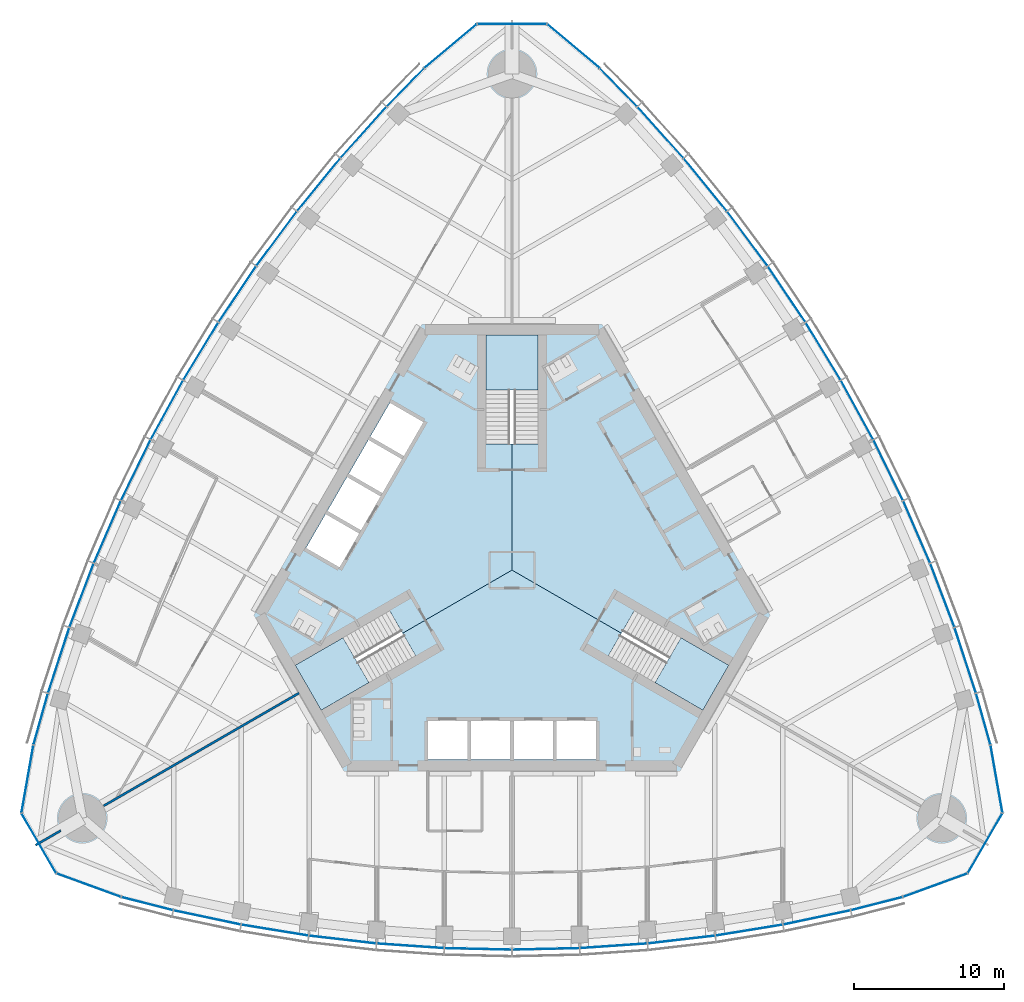
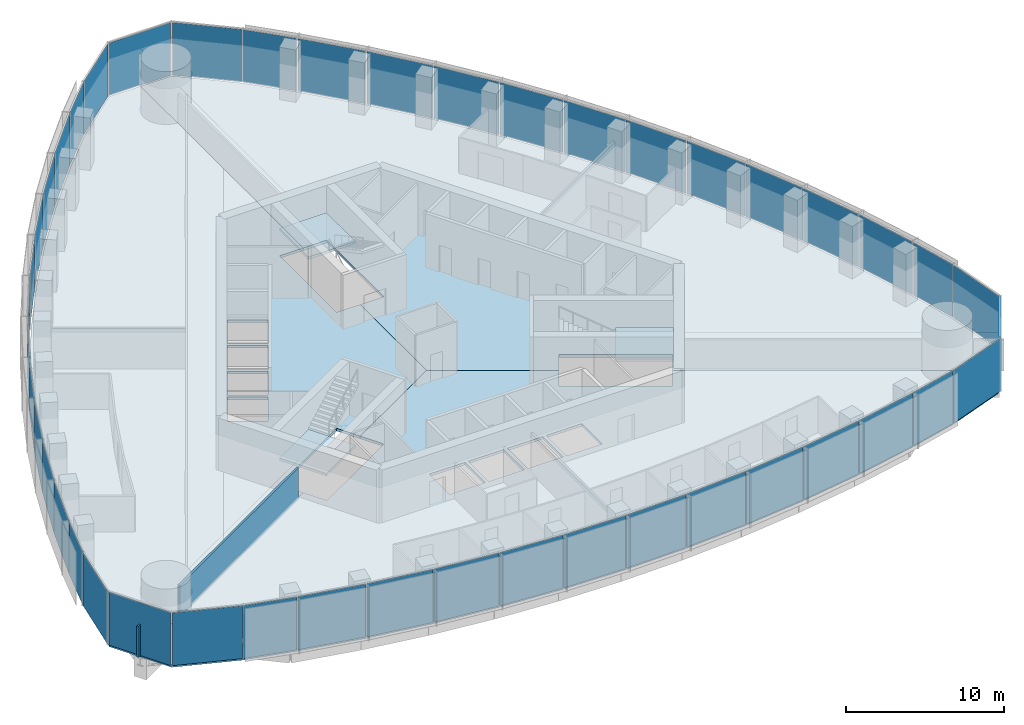
# One storey, part 10 of 19: 45 plates, 6 slabs, 2 walls, 9 elements without a shape of their own.
"""IFC4 building model written with IfcOpenShell, lengths in metres."""

from ifc_helpers import new_model, si_unit, direction, frame, frame_2d, origin, origin_2d, place, context, subcontext, project, spatial, polyline, rectangle, outline, extrude, material, layer, layer_set, type_object, element, aggregate, save


model = new_model("IFC4")

# Units and contexts
model_context = context("Model", 3, precision=1e-05, world=origin(), true_north=direction((0.0, 1.0)))
body_context = subcontext(model_context, "Body", "Model", "MODEL_VIEW")
ifc_project = project(units=[si_unit("LENGTHUNIT", "METRE"), si_unit("AREAUNIT", "SQUARE_METRE"), si_unit("VOLUMEUNIT", "CUBIC_METRE"), si_unit("PLANEANGLEUNIT", "RADIAN"), si_unit("MASSUNIT", "GRAM", prefix="KILO")], contexts=[model_context])

# Site, building, storey
site_placement = place(None, origin())
site = spatial("IfcSite", under=ifc_project, at=site_placement, CompositionType="ELEMENT")
building_placement = place(site_placement, origin())
building = spatial("IfcBuilding", under=site, at=building_placement, Name="Trefoil Bronze Tower", CompositionType="ELEMENT")
storey_placement = place(building_placement, frame((0.0, 0.0, 223.300048828125)))
storey = spatial("IfcBuildingStorey", under=building, at=storey_placement, Name="L51", CompositionType="ELEMENT", Elevation=223.300048828125)

# Curtain wall, plates
ifc_material_1 = material(Name="Tinted solar-control glass", Category="glass")
curtain_wall_type_1 = type_object("IfcCurtainWallType", Name="Bronze office curtain wall", PredefinedType="USERDEFINED", material=ifc_material_1)
curtain_wall_1_placement = place(storey_placement, origin())
curtain_wall_1 = element("IfcCurtainWall", 1, at=curtain_wall_1_placement, inside=storey, type_object=curtain_wall_type_1, Name="CW-A L51 F1", ObjectType="CURTAIN WALL", PredefinedType="USERDEFINED")
ifc_material_2 = material(Name="Tinted solar-control glass", Category="glass")
ifc_layer_1 = layer(ifc_material_2, 0.030029296875)
ifc_layer_set_1 = layer_set([ifc_layer_1], Name="Bronze office curtain wall glass panel")
plate_type_1 = type_object("IfcPlateType", Name="Bronze office curtain wall glass panel", PredefinedType="CURTAIN_PANEL", material=ifc_layer_set_1)
plate_1_placement = place(storey_placement, frame((-24.251220703125, -22.188232421875, 0.0), z_axis=(0.0, 0.0, 1.0), x_axis=(0.968934035393, -0.247319297786, 0.0)))
plate_1 = element("IfcPlate", 2, at=plate_1_placement, type_object=plate_type_1, Name="CW-A L51 F1 panel 1", PredefinedType="CURTAIN_PANEL", context=body_context, shape_type="SweptSolid", body=[
    extrude(rectangle(XDim=3.483642578125, YDim=0.030029296875, at=origin_2d()), origin(), (0.0, 0.0, 1.0), 4.080078125),
])
plate_2_placement = place(storey_placement, frame((-20.270751953125, -23.105224609375, 0.0), z_axis=(0.0, 0.0, 1.0), x_axis=(0.978394335897, -0.20674748725, 0.0)))
plate_2 = element("IfcPlate", 3, at=plate_2_placement, type_object=plate_type_1, Name="CW-A L51 F1 panel 2", PredefinedType="CURTAIN_PANEL", context=body_context, shape_type="SweptSolid", body=[
    extrude(rectangle(XDim=4.519287109375, YDim=0.030029296875, at=origin_2d()), origin(), (0.0, 0.0, 1.0), 4.080078125),
])
plate_3_placement = place(storey_placement, frame((-15.76611328125, -23.9482421875, 0.0), z_axis=(0.0, 0.0, 1.0), x_axis=(0.986986549528, -0.160802832848, 0.0)))
plate_3 = element("IfcPlate", 4, at=plate_3_placement, type_object=plate_type_1, Name="CW-A L51 F1 panel 3", PredefinedType="CURTAIN_PANEL", context=body_context, shape_type="SweptSolid", body=[
    extrude(rectangle(XDim=4.479248046875, YDim=0.030029296875, at=origin_2d()), origin(), (0.0, 0.0, 1.0), 4.080078125),
])
plate_4_placement = place(storey_placement, frame((-11.261474609375, -24.57568359375, 0.0), z_axis=(0.0, 0.0, 1.0), x_axis=(0.993381831741, -0.114858767043, 0.0)))
plate_4 = element("IfcPlate", 5, at=plate_4_placement, type_object=plate_type_1, Name="CW-A L51 F1 panel 4", PredefinedType="CURTAIN_PANEL", context=body_context, shape_type="SweptSolid", body=[
    extrude(rectangle(XDim=4.449951171875, YDim=0.030029296875, at=origin_2d()), origin(), (0.0, 0.0, 1.0), 4.080078125),
])
plate_5_placement = place(storey_placement, frame((-6.7568359375, -24.991455078125, 0.0), z_axis=(0.0, 0.0, 1.0), x_axis=(0.99762252804, -0.068915103905, 0.0)))
plate_5 = element("IfcPlate", 6, at=plate_5_placement, type_object=plate_type_1, Name="CW-A L51 F1 panel 5", PredefinedType="CURTAIN_PANEL", context=body_context, shape_type="SweptSolid", body=[
    extrude(rectangle(XDim=4.4306640625, YDim=0.030029296875, at=origin_2d()), origin(), (0.0, 0.0, 1.0), 4.080078125),
])
plate_6_placement = place(storey_placement, frame((-2.252197265625, -25.198974609375, 0.0), z_axis=(0.0, 0.0, 1.0), x_axis=(0.999736116243, -0.022971675577, 0.0)))
plate_6 = element("IfcPlate", 7, at=plate_6_placement, type_object=plate_type_1, Name="CW-A L51 F1 panel 6", PredefinedType="CURTAIN_PANEL", context=body_context, shape_type="SweptSolid", body=[
    extrude(rectangle(XDim=4.421142578125, YDim=0.030029296875, at=origin_2d()), origin(), (0.0, 0.0, 1.0), 4.080078125),
])
plate_7_placement = place(storey_placement, frame((2.252197265625, -25.198974609375, 0.0), z_axis=(0.0, 0.0, 1.0), x_axis=(0.999736116243, 0.022971675577, 0.0)))
plate_7 = element("IfcPlate", 8, at=plate_7_placement, type_object=plate_type_1, Name="CW-A L51 F1 panel 7", PredefinedType="CURTAIN_PANEL", context=body_context, shape_type="SweptSolid", body=[
    extrude(rectangle(XDim=4.421142578125, YDim=0.030029296875, at=origin_2d()), origin(), (0.0, 0.0, 1.0), 4.080078125),
])
plate_8_placement = place(storey_placement, frame((6.7568359375, -24.991455078125, 0.0), z_axis=(0.0, 0.0, 1.0), x_axis=(0.99762252804, 0.068915103905, 0.0)))
plate_8 = element("IfcPlate", 9, at=plate_8_placement, type_object=plate_type_1, Name="CW-A L51 F1 panel 8", PredefinedType="CURTAIN_PANEL", context=body_context, shape_type="SweptSolid", body=[
    extrude(rectangle(XDim=4.4306640625, YDim=0.030029296875, at=origin_2d()), origin(), (0.0, 0.0, 1.0), 4.080078125),
])
plate_9_placement = place(storey_placement, frame((11.261474609375, -24.57568359375, 0.0), z_axis=(0.0, 0.0, 1.0), x_axis=(0.993381831741, 0.114858767043, 0.0)))
plate_9 = element("IfcPlate", 10, at=plate_9_placement, type_object=plate_type_1, Name="CW-A L51 F1 panel 9", PredefinedType="CURTAIN_PANEL", context=body_context, shape_type="SweptSolid", body=[
    extrude(rectangle(XDim=4.449951171875, YDim=0.030029296875, at=origin_2d()), origin(), (0.0, 0.0, 1.0), 4.080078125),
])
plate_10_placement = place(storey_placement, frame((15.76611328125, -23.9482421875, 0.0), z_axis=(0.0, 0.0, 1.0), x_axis=(0.986986549528, 0.160802832848, 0.0)))
plate_10 = element("IfcPlate", 11, at=plate_10_placement, type_object=plate_type_1, Name="CW-A L51 F1 panel 10", PredefinedType="CURTAIN_PANEL", context=body_context, shape_type="SweptSolid", body=[
    extrude(rectangle(XDim=4.479248046875, YDim=0.030029296875, at=origin_2d()), origin(), (0.0, 0.0, 1.0), 4.080078125),
])
plate_11_placement = place(storey_placement, frame((20.270751953125, -23.105224609375, 0.0), z_axis=(0.0, 0.0, 1.0), x_axis=(0.978394335897, 0.20674748725, 0.0)))
plate_11 = element("IfcPlate", 12, at=plate_11_placement, type_object=plate_type_1, Name="CW-A L51 F1 panel 11", PredefinedType="CURTAIN_PANEL", context=body_context, shape_type="SweptSolid", body=[
    extrude(rectangle(XDim=4.519287109375, YDim=0.030029296875, at=origin_2d()), origin(), (0.0, 0.0, 1.0), 4.080078125),
])
plate_12_placement = place(storey_placement, frame((24.251220703125, -22.188232421875, 0.0), z_axis=(0.0, 0.0, 1.0), x_axis=(0.968934035393, 0.247319297786, 0.0)))
plate_12 = element("IfcPlate", 13, at=plate_12_placement, type_object=plate_type_1, Name="CW-A L51 F1 panel 12", PredefinedType="CURTAIN_PANEL", context=body_context, shape_type="SweptSolid", body=[
    extrude(rectangle(XDim=3.483642578125, YDim=0.030029296875, at=origin_2d()), origin(), (0.0, 0.0, 1.0), 4.080078125),
])
aggregate(curtain_wall_1, [plate_1, plate_2, plate_3, plate_4, plate_5, plate_6, plate_7, plate_8, plate_9, plate_10, plate_11, plate_12])

curtain_wall_2_placement = place(storey_placement, origin())
curtain_wall_2 = element("IfcCurtainWall", 14, at=curtain_wall_2_placement, inside=storey, type_object=curtain_wall_type_1, Name="CW-A L51 F2", ObjectType="CURTAIN WALL", PredefinedType="USERDEFINED")
plate_13_placement = place(storey_placement, frame((31.341064453125, -9.907958984375, 0.0), z_axis=(0.0, 0.0, 1.0), x_axis=(-0.270282222968, 0.962781138134, 0.0)))
plate_13 = element("IfcPlate", 15, at=plate_13_placement, type_object=plate_type_1, Name="CW-A L51 F2 panel 1", PredefinedType="CURTAIN_PANEL", context=body_context, shape_type="SweptSolid", body=[
    extrude(rectangle(XDim=3.483642578125, YDim=0.030029296875, at=origin_2d()), origin(), (0.0, 0.0, 1.0), 4.080078125),
])
plate_14_placement = place(storey_placement, frame((30.14501953125, -6.002197265625, 0.0), z_axis=(0.0, 0.0, 1.0), x_axis=(-0.310148591821, 0.950688093431, 0.0)))
plate_14 = element("IfcPlate", 16, at=plate_14_placement, type_object=plate_type_1, Name="CW-A L51 F2 panel 2", PredefinedType="CURTAIN_PANEL", context=body_context, shape_type="SweptSolid", body=[
    extrude(rectangle(XDim=4.519287109375, YDim=0.030029296875, at=origin_2d()), origin(), (0.0, 0.0, 1.0), 4.080078125),
])
plate_15_placement = place(storey_placement, frame((28.622802734375, -1.6796875, 0.0), z_axis=(0.0, 0.0, 1.0), x_axis=(-0.354233936517, 0.935156841508, 0.0)))
plate_15 = element("IfcPlate", 17, at=plate_15_placement, type_object=plate_type_1, Name="CW-A L51 F2 panel 3", PredefinedType="CURTAIN_PANEL", context=body_context, shape_type="SweptSolid", body=[
    extrude(rectangle(XDim=4.479248046875, YDim=0.030029296875, at=origin_2d()), origin(), (0.0, 0.0, 1.0), 4.080078125),
])
plate_16_placement = place(storey_placement, frame((26.913818359375, 2.53515625, 0.0), z_axis=(0.0, 0.0, 1.0), x_axis=(-0.397220305764, 0.917723285467, 0.0)))
plate_16 = element("IfcPlate", 18, at=plate_16_placement, type_object=plate_type_1, Name="CW-A L51 F2 panel 4", PredefinedType="CURTAIN_PANEL", context=body_context, shape_type="SweptSolid", body=[
    extrude(rectangle(XDim=4.449951171875, YDim=0.030029296875, at=origin_2d()), origin(), (0.0, 0.0, 1.0), 4.080078125),
])
plate_17_placement = place(storey_placement, frame((25.021728515625, 6.64404296875, 0.0), z_axis=(0.0, 0.0, 1.0), x_axis=(-0.439129033334, 0.898424004623, 0.0)))
plate_17 = element("IfcPlate", 19, at=plate_17_placement, type_object=plate_type_1, Name="CW-A L51 F2 panel 5", PredefinedType="CURTAIN_PANEL", context=body_context, shape_type="SweptSolid", body=[
    extrude(rectangle(XDim=4.4306640625, YDim=0.030029296875, at=origin_2d()), origin(), (0.0, 0.0, 1.0), 4.080078125),
])
plate_18_placement = place(storey_placement, frame((22.948974609375, 10.64892578125, 0.0), z_axis=(0.0, 0.0, 1.0), x_axis=(-0.479974003504, 0.877282711536, 0.0)))
plate_18 = element("IfcPlate", 20, at=plate_18_placement, type_object=plate_type_1, Name="CW-A L51 F2 panel 6", PredefinedType="CURTAIN_PANEL", context=body_context, shape_type="SweptSolid", body=[
    extrude(rectangle(XDim=4.421142578125, YDim=0.030029296875, at=origin_2d()), origin(), (0.0, 0.0, 1.0), 4.080078125),
])
plate_19_placement = place(storey_placement, frame((20.69677734375, 14.550048828125, 0.0), z_axis=(0.0, 0.0, 1.0), x_axis=(-0.519762112739, 0.854311035959, 0.0)))
plate_19 = element("IfcPlate", 21, at=plate_19_placement, type_object=plate_type_1, Name="CW-A L51 F2 panel 7", PredefinedType="CURTAIN_PANEL", context=body_context, shape_type="SweptSolid", body=[
    extrude(rectangle(XDim=4.421142578125, YDim=0.030029296875, at=origin_2d()), origin(), (0.0, 0.0, 1.0), 4.080078125),
])
plate_20_placement = place(storey_placement, frame((18.264892578125, 18.347412109375, 0.0), z_axis=(0.0, 0.0, 1.0), x_axis=(-0.558493494706, 0.829508900718, 0.0)))
plate_20 = element("IfcPlate", 22, at=plate_20_placement, type_object=plate_type_1, Name="CW-A L51 F2 panel 8", PredefinedType="CURTAIN_PANEL", context=body_context, shape_type="SweptSolid", body=[
    extrude(rectangle(XDim=4.4306640625, YDim=0.030029296875, at=origin_2d()), origin(), (0.0, 0.0, 1.0), 4.080078125),
])
plate_21_placement = place(storey_placement, frame((15.65234375, 22.04052734375, 0.0), z_axis=(0.0, 0.0, 1.0), x_axis=(-0.596161525977, 0.802864518425, 0.0)))
plate_21 = element("IfcPlate", 23, at=plate_21_placement, type_object=plate_type_1, Name="CW-A L51 F2 panel 9", PredefinedType="CURTAIN_PANEL", context=body_context, shape_type="SweptSolid", body=[
    extrude(rectangle(XDim=4.449951171875, YDim=0.030029296875, at=origin_2d()), origin(), (0.0, 0.0, 1.0), 4.080078125),
])
plate_22_placement = place(storey_placement, frame((12.856689453125, 25.6279296875, 0.0), z_axis=(0.0, 0.0, 1.0), x_axis=(-0.63275261301, 0.774354008661, 0.0)))
plate_22 = element("IfcPlate", 24, at=plate_22_placement, type_object=plate_type_1, Name="CW-A L51 F2 panel 10", PredefinedType="CURTAIN_PANEL", context=body_context, shape_type="SweptSolid", body=[
    extrude(rectangle(XDim=4.479248046875, YDim=0.030029296875, at=origin_2d()), origin(), (0.0, 0.0, 1.0), 4.080078125),
])
plate_23_placement = place(storey_placement, frame((9.87451171875, 29.107666015625, 0.0), z_axis=(0.0, 0.0, 1.0), x_axis=(-0.668245744076, 0.743940606181, 0.0)))
plate_23 = element("IfcPlate", 25, at=plate_23_placement, type_object=plate_type_1, Name="CW-A L51 F2 panel 11", PredefinedType="CURTAIN_PANEL", context=body_context, shape_type="SweptSolid", body=[
    extrude(rectangle(XDim=4.519287109375, YDim=0.030029296875, at=origin_2d()), origin(), (0.0, 0.0, 1.0), 4.080078125),
])
plate_24_placement = place(storey_placement, frame((7.08984375, 32.09619140625, 0.0), z_axis=(0.0, 0.0, 1.0), x_axis=(-0.698651812425, 0.715461840349, 0.0)))
plate_24 = element("IfcPlate", 26, at=plate_24_placement, type_object=plate_type_1, Name="CW-A L51 F2 panel 12", PredefinedType="CURTAIN_PANEL", context=body_context, shape_type="SweptSolid", body=[
    extrude(rectangle(XDim=3.483642578125, YDim=0.030029296875, at=origin_2d()), origin(), (0.0, 0.0, 1.0), 4.080078125),
])
aggregate(curtain_wall_2, [plate_13, plate_14, plate_15, plate_16, plate_17, plate_18, plate_19, plate_20, plate_21, plate_22, plate_23, plate_24])

curtain_wall_3_placement = place(storey_placement, origin())
curtain_wall_3 = element("IfcCurtainWall", 27, at=curtain_wall_3_placement, inside=storey, type_object=curtain_wall_type_1, Name="CW-A L51 F3", ObjectType="CURTAIN WALL", PredefinedType="USERDEFINED")
plate_25_placement = place(storey_placement, frame((-7.08984375, 32.09619140625, 0.0), z_axis=(0.0, 0.0, 1.0), x_axis=(-0.698651812425, -0.715461840349, 0.0)))
plate_25 = element("IfcPlate", 28, at=plate_25_placement, type_object=plate_type_1, Name="CW-A L51 F3 panel 1", PredefinedType="CURTAIN_PANEL", context=body_context, shape_type="SweptSolid", body=[
    extrude(rectangle(XDim=3.483642578125, YDim=0.030029296875, at=origin_2d()), origin(), (0.0, 0.0, 1.0), 4.080078125),
])
plate_26_placement = place(storey_placement, frame((-9.87451171875, 29.107666015625, 0.0), z_axis=(0.0, 0.0, 1.0), x_axis=(-0.668245744076, -0.743940606181, 0.0)))
plate_26 = element("IfcPlate", 29, at=plate_26_placement, type_object=plate_type_1, Name="CW-A L51 F3 panel 2", PredefinedType="CURTAIN_PANEL", context=body_context, shape_type="SweptSolid", body=[
    extrude(rectangle(XDim=4.519287109375, YDim=0.030029296875, at=origin_2d()), origin(), (0.0, 0.0, 1.0), 4.080078125),
])
plate_27_placement = place(storey_placement, frame((-12.856689453125, 25.6279296875, 0.0), z_axis=(0.0, 0.0, 1.0), x_axis=(-0.63275261301, -0.774354008661, 0.0)))
plate_27 = element("IfcPlate", 30, at=plate_27_placement, type_object=plate_type_1, Name="CW-A L51 F3 panel 3", PredefinedType="CURTAIN_PANEL", context=body_context, shape_type="SweptSolid", body=[
    extrude(rectangle(XDim=4.479248046875, YDim=0.030029296875, at=origin_2d()), origin(), (0.0, 0.0, 1.0), 4.080078125),
])
plate_28_placement = place(storey_placement, frame((-15.65234375, 22.04052734375, 0.0), z_axis=(0.0, 0.0, 1.0), x_axis=(-0.596161525977, -0.802864518425, 0.0)))
plate_28 = element("IfcPlate", 31, at=plate_28_placement, type_object=plate_type_1, Name="CW-A L51 F3 panel 4", PredefinedType="CURTAIN_PANEL", context=body_context, shape_type="SweptSolid", body=[
    extrude(rectangle(XDim=4.449951171875, YDim=0.030029296875, at=origin_2d()), origin(), (0.0, 0.0, 1.0), 4.080078125),
])
plate_29_placement = place(storey_placement, frame((-18.264892578125, 18.347412109375, 0.0), z_axis=(0.0, 0.0, 1.0), x_axis=(-0.558493494706, -0.829508900718, 0.0)))
plate_29 = element("IfcPlate", 32, at=plate_29_placement, type_object=plate_type_1, Name="CW-A L51 F3 panel 5", PredefinedType="CURTAIN_PANEL", context=body_context, shape_type="SweptSolid", body=[
    extrude(rectangle(XDim=4.4306640625, YDim=0.030029296875, at=origin_2d()), origin(), (0.0, 0.0, 1.0), 4.080078125),
])
plate_30_placement = place(storey_placement, frame((-20.69677734375, 14.550048828125, 0.0), z_axis=(0.0, 0.0, 1.0), x_axis=(-0.519762112739, -0.854311035959, 0.0)))
plate_30 = element("IfcPlate", 33, at=plate_30_placement, type_object=plate_type_1, Name="CW-A L51 F3 panel 6", PredefinedType="CURTAIN_PANEL", context=body_context, shape_type="SweptSolid", body=[
    extrude(rectangle(XDim=4.421142578125, YDim=0.030029296875, at=origin_2d()), origin(), (0.0, 0.0, 1.0), 4.080078125),
])
plate_31_placement = place(storey_placement, frame((-22.948974609375, 10.64892578125, 0.0), z_axis=(0.0, 0.0, 1.0), x_axis=(-0.479974003504, -0.877282711536, 0.0)))
plate_31 = element("IfcPlate", 34, at=plate_31_placement, type_object=plate_type_1, Name="CW-A L51 F3 panel 7", PredefinedType="CURTAIN_PANEL", context=body_context, shape_type="SweptSolid", body=[
    extrude(rectangle(XDim=4.421142578125, YDim=0.030029296875, at=origin_2d()), origin(), (0.0, 0.0, 1.0), 4.080078125),
])
plate_32_placement = place(storey_placement, frame((-25.021728515625, 6.64404296875, 0.0), z_axis=(0.0, 0.0, 1.0), x_axis=(-0.439129033334, -0.898424004623, 0.0)))
plate_32 = element("IfcPlate", 35, at=plate_32_placement, type_object=plate_type_1, Name="CW-A L51 F3 panel 8", PredefinedType="CURTAIN_PANEL", context=body_context, shape_type="SweptSolid", body=[
    extrude(rectangle(XDim=4.4306640625, YDim=0.030029296875, at=origin_2d()), origin(), (0.0, 0.0, 1.0), 4.080078125),
])
plate_33_placement = place(storey_placement, frame((-26.913818359375, 2.53515625, 0.0), z_axis=(0.0, 0.0, 1.0), x_axis=(-0.397220305764, -0.917723285467, 0.0)))
plate_33 = element("IfcPlate", 36, at=plate_33_placement, type_object=plate_type_1, Name="CW-A L51 F3 panel 9", PredefinedType="CURTAIN_PANEL", context=body_context, shape_type="SweptSolid", body=[
    extrude(rectangle(XDim=4.449951171875, YDim=0.030029296875, at=origin_2d()), origin(), (0.0, 0.0, 1.0), 4.080078125),
])
plate_34_placement = place(storey_placement, frame((-28.622802734375, -1.6796875, 0.0), z_axis=(0.0, 0.0, 1.0), x_axis=(-0.354233936517, -0.935156841508, 0.0)))
plate_34 = element("IfcPlate", 37, at=plate_34_placement, type_object=plate_type_1, Name="CW-A L51 F3 panel 10", PredefinedType="CURTAIN_PANEL", context=body_context, shape_type="SweptSolid", body=[
    extrude(rectangle(XDim=4.479248046875, YDim=0.030029296875, at=origin_2d()), origin(), (0.0, 0.0, 1.0), 4.080078125),
])
plate_35_placement = place(storey_placement, frame((-30.14501953125, -6.002197265625, 0.0), z_axis=(0.0, 0.0, 1.0), x_axis=(-0.310148591821, -0.950688093431, 0.0)))
plate_35 = element("IfcPlate", 38, at=plate_35_placement, type_object=plate_type_1, Name="CW-A L51 F3 panel 11", PredefinedType="CURTAIN_PANEL", context=body_context, shape_type="SweptSolid", body=[
    extrude(rectangle(XDim=4.519287109375, YDim=0.030029296875, at=origin_2d()), origin(), (0.0, 0.0, 1.0), 4.080078125),
])
plate_36_placement = place(storey_placement, frame((-31.341064453125, -9.907958984375, 0.0), z_axis=(0.0, 0.0, 1.0), x_axis=(-0.270282222968, -0.962781138134, 0.0)))
plate_36 = element("IfcPlate", 39, at=plate_36_placement, type_object=plate_type_1, Name="CW-A L51 F3 panel 12", PredefinedType="CURTAIN_PANEL", context=body_context, shape_type="SweptSolid", body=[
    extrude(rectangle(XDim=3.483642578125, YDim=0.030029296875, at=origin_2d()), origin(), (0.0, 0.0, 1.0), 4.080078125),
])
aggregate(curtain_wall_3, [plate_25, plate_26, plate_27, plate_28, plate_29, plate_30, plate_31, plate_32, plate_33, plate_34, plate_35, plate_36])

ifc_material_3 = material(Name="Tinted solar-control glass", Category="glass")
curtain_wall_type_2 = type_object("IfcCurtainWallType", Name="Bronze rounded corner curtain wall", PredefinedType="USERDEFINED", material=ifc_material_3)
curtain_wall_4_placement = place(storey_placement, origin())
curtain_wall_4 = element("IfcCurtainWall", 40, at=curtain_wall_4_placement, inside=storey, type_object=curtain_wall_type_2, Name="CW-B L51 K1", ObjectType="CURTAIN WALL", PredefinedType="USERDEFINED")
ifc_material_4 = material(Name="Tinted solar-control glass", Category="glass")
ifc_layer_2 = layer(ifc_material_4, 0.030029296875)
ifc_layer_set_2 = layer_set([ifc_layer_2], Name="Bronze rounded corner curtain wall glass panel")
plate_type_2 = type_object("IfcPlateType", Name="Bronze rounded corner curtain wall glass panel", PredefinedType="CURTAIN_PANEL", material=ifc_layer_set_2)
plate_37_placement = place(storey_placement, frame((28.1298828125, -20.96484375, 0.0), z_axis=(0.0, 0.0, 1.0), x_axis=(0.939692620786, 0.342020143326, 0.0)))
plate_37 = element("IfcPlate", 41, at=plate_37_placement, type_object=plate_type_2, Name="CW-B L51 K1 panel 1", PredefinedType="CURTAIN_PANEL", context=body_context, shape_type="SweptSolid", body=[
    extrude(rectangle(XDim=4.500244140625, YDim=0.030029296875, at=origin_2d()), origin(), (0.0, 0.0, 1.0), 4.080078125),
])
plate_38_placement = place(storey_placement, frame((31.46484375, -18.166259765625, 0.0), z_axis=(0.0, 0.0, 1.0), x_axis=(0.5, 0.866025403784, 0.0)))
plate_38 = element("IfcPlate", 42, at=plate_38_placement, type_object=plate_type_2, Name="CW-B L51 K1 panel 2", PredefinedType="CURTAIN_PANEL", context=body_context, shape_type="SweptSolid", body=[
    extrude(rectangle(XDim=4.500244140625, YDim=0.030029296875, at=origin_2d()), origin(), (0.0, 0.0, 1.0), 4.080078125),
])
plate_39_placement = place(storey_placement, frame((32.220947265625, -13.878662109375, 0.0), z_axis=(0.0, 0.0, 1.0), x_axis=(-0.173648177667, 0.984807753012, 0.0)))
plate_39 = element("IfcPlate", 43, at=plate_39_placement, type_object=plate_type_2, Name="CW-B L51 K1 panel 3", PredefinedType="CURTAIN_PANEL", context=body_context, shape_type="SweptSolid", body=[
    extrude(rectangle(XDim=4.500244140625, YDim=0.030029296875, at=origin_2d()), origin(), (0.0, 0.0, 1.0), 4.080078125),
])
aggregate(curtain_wall_4, [plate_37, plate_38, plate_39])

curtain_wall_5_placement = place(storey_placement, origin())
curtain_wall_5 = element("IfcCurtainWall", 44, at=curtain_wall_5_placement, inside=storey, type_object=curtain_wall_type_2, Name="CW-B L51 K2", ObjectType="CURTAIN WALL", PredefinedType="USERDEFINED")
plate_40_placement = place(storey_placement, frame((4.091064453125, 34.843505859375, 0.0), z_axis=(0.0, 0.0, 1.0), x_axis=(-0.766044443119, 0.642787609687, 0.0)))
plate_40 = element("IfcPlate", 45, at=plate_40_placement, type_object=plate_type_2, Name="CW-B L51 K2 panel 1", PredefinedType="CURTAIN_PANEL", context=body_context, shape_type="SweptSolid", body=[
    extrude(rectangle(XDim=4.500244140625, YDim=0.030029296875, at=origin_2d()), origin(), (0.0, 0.0, 1.0), 4.080078125),
])
plate_41_placement = place(storey_placement, frame((0.0, 36.33251953125, 0.0), z_axis=(0.0, 0.0, 1.0), x_axis=(-1.0, 0.0, 0.0)))
plate_41 = element("IfcPlate", 46, at=plate_41_placement, type_object=plate_type_2, Name="CW-B L51 K2 panel 2", PredefinedType="CURTAIN_PANEL", context=body_context, shape_type="SweptSolid", body=[
    extrude(rectangle(XDim=4.500244140625, YDim=0.030029296875, at=origin_2d()), origin(), (0.0, 0.0, 1.0), 4.080078125),
])
plate_42_placement = place(storey_placement, frame((-4.091064453125, 34.843505859375, 0.0), z_axis=(0.0, 0.0, 1.0), x_axis=(-0.766044443119, -0.642787609687, 0.0)))
plate_42 = element("IfcPlate", 47, at=plate_42_placement, type_object=plate_type_2, Name="CW-B L51 K2 panel 3", PredefinedType="CURTAIN_PANEL", context=body_context, shape_type="SweptSolid", body=[
    extrude(rectangle(XDim=4.500244140625, YDim=0.030029296875, at=origin_2d()), origin(), (0.0, 0.0, 1.0), 4.080078125),
])
aggregate(curtain_wall_5, [plate_40, plate_41, plate_42])

curtain_wall_6_placement = place(storey_placement, origin())
curtain_wall_6 = element("IfcCurtainWall", 48, at=curtain_wall_6_placement, inside=storey, type_object=curtain_wall_type_2, Name="CW-B L51 K3", ObjectType="CURTAIN WALL", PredefinedType="USERDEFINED")
plate_43_placement = place(storey_placement, frame((-32.220947265625, -13.878662109375, 0.0), z_axis=(0.0, 0.0, 1.0), x_axis=(-0.173648177667, -0.984807753012, 0.0)))
plate_43 = element("IfcPlate", 49, at=plate_43_placement, type_object=plate_type_2, Name="CW-B L51 K3 panel 1", PredefinedType="CURTAIN_PANEL", context=body_context, shape_type="SweptSolid", body=[
    extrude(rectangle(XDim=4.500244140625, YDim=0.030029296875, at=origin_2d()), origin(), (0.0, 0.0, 1.0), 4.080078125),
])
plate_44_placement = place(storey_placement, frame((-31.46484375, -18.166259765625, 0.0), z_axis=(0.0, 0.0, 1.0), x_axis=(0.5, -0.866025403784, 0.0)))
plate_44 = element("IfcPlate", 50, at=plate_44_placement, type_object=plate_type_2, Name="CW-B L51 K3 panel 2", PredefinedType="CURTAIN_PANEL", context=body_context, shape_type="SweptSolid", body=[
    extrude(rectangle(XDim=4.500244140625, YDim=0.030029296875, at=origin_2d()), origin(), (0.0, 0.0, 1.0), 4.080078125),
])
plate_45_placement = place(storey_placement, frame((-28.1298828125, -20.96484375, 0.0), z_axis=(0.0, 0.0, 1.0), x_axis=(0.939692620786, -0.342020143326, 0.0)))
plate_45 = element("IfcPlate", 51, at=plate_45_placement, type_object=plate_type_2, Name="CW-B L51 K3 panel 3", PredefinedType="CURTAIN_PANEL", context=body_context, shape_type="SweptSolid", body=[
    extrude(rectangle(XDim=4.500244140625, YDim=0.030029296875, at=origin_2d()), origin(), (0.0, 0.0, 1.0), 4.080078125),
])
aggregate(curtain_wall_6, [plate_43, plate_44, plate_45])

# Slabs
ifc_material_5 = material(Name="Concrete B30", Category="concrete")
ifc_layer_3 = layer(ifc_material_5, 0.199951171875)
ifc_layer_set_3 = layer_set([ifc_layer_3], Name="Floor slab 200")
slab_type_1 = type_object("IfcSlabType", Name="Floor slab 200", PredefinedType="FLOOR", material=ifc_layer_set_3)
slab_1_placement = place(storey_placement, frame((0.0, 0.0, -0.199951171875)))
element("IfcSlab", 52, at=slab_1_placement, inside=storey, type_object=slab_type_1, Name="Floor slab L51 face 1", PredefinedType="FLOOR", context=body_context, shape_type="SweptSolid", body=[
    extrude(outline(polyline([(18.0, -23.48291015625), (13.5, -24.216064453125), (9.0, -24.736328125), (4.5, -25.047119140625), (0.0, -25.150634765625), (-4.5, -25.047119140625), (-9.0, -24.736328125), (-13.5, -24.216064453125), (-18.0, -23.48291015625), (-22.5, -22.531982421875), (-25.952880859375, -21.650634765625), (-30.23828125, -20.0908203125), (-31.37841796875, -18.1162109375), (-13.510009765625, -7.800048828125), (-12.6474609375, -9.2939453125), (-6.412109375, -5.69384765625), (-7.274658203125, -4.199951171875), (0.0, 0.0), (7.274658203125, -4.199951171875), (6.412109375, -5.69384765625), (12.6474609375, -9.2939453125), (13.510009765625, -7.800048828125), (31.37841796875, -18.1162109375), (30.23828125, -20.0908203125), (25.952880859375, -21.650634765625), (22.5, -22.531982421875), (18.0, -23.48291015625)]), holes=[polyline([(-5.574951171875, -10.02490234375), (-2.97509765625, -10.02490234375), (-2.97509765625, -12.60009765625), (-5.574951171875, -12.60009765625), (-5.574951171875, -10.02490234375)]), polyline([(-2.72509765625, -10.02490234375), (-0.125, -10.02490234375), (-0.125, -12.60009765625), (-2.72509765625, -12.60009765625), (-2.72509765625, -10.02490234375)]), polyline([(0.125, -10.02490234375), (2.72509765625, -10.02490234375), (2.72509765625, -12.60009765625), (0.125, -12.60009765625), (0.125, -10.02490234375)]), polyline([(2.97509765625, -10.02490234375), (5.574951171875, -10.02490234375), (5.574951171875, -12.60009765625), (2.97509765625, -12.60009765625), (2.97509765625, -10.02490234375)])]), origin(), (0.0, 0.0, 1.0), 0.199951171875),
])
slab_2_placement = place(storey_placement, frame((0.0, 0.0, -0.199951171875)))
element("IfcSlab", 53, at=slab_2_placement, inside=storey, type_object=slab_type_1, Name="Floor slab L51 face 2", PredefinedType="FLOOR", context=body_context, shape_type="SweptSolid", body=[
    extrude(outline(polyline([(11.3369140625, 27.329833984375), (14.2216796875, 23.79931640625), (16.92236328125, 20.162353515625), (19.441650390625, 16.420654296875), (21.781005859375, 12.575439453125), (23.941650390625, 8.62646484375), (25.92236328125, 4.573974609375), (27.7216796875, 0.416748046875), (29.3369140625, -3.846923828125), (30.76318359375, -8.219482421875), (31.7265625, -11.650634765625), (32.518310546875, -16.1416015625), (31.37841796875, -18.1162109375), (13.510009765625, -7.800048828125), (14.37255859375, -6.30615234375), (8.13720703125, -2.7060546875), (7.274658203125, -4.199951171875), (0.0, 0.0), (0.0, 8.39990234375), (1.72509765625, 8.39990234375), (1.72509765625, 15.60009765625), (0.0, 15.60009765625), (0.0, 36.232666015625), (2.280029296875, 36.232666015625), (5.7734375, 33.30126953125), (8.26318359375, 30.75146484375), (11.3369140625, 27.329833984375)])), origin(), (0.0, 0.0, 1.0), 0.199951171875),
])
slab_3_placement = place(storey_placement, frame((0.0, 0.0, -0.199951171875)))
element("IfcSlab", 54, at=slab_3_placement, inside=storey, type_object=slab_type_1, Name="Floor slab L51 face 3", PredefinedType="FLOOR", context=body_context, shape_type="SweptSolid", body=[
    extrude(outline(polyline([(-29.3369140625, -3.846923828125), (-27.7216796875, 0.416748046875), (-25.92236328125, 4.573974609375), (-23.941650390625, 8.62646484375), (-21.781005859375, 12.575439453125), (-19.441650390625, 16.420654296875), (-16.92236328125, 20.162353515625), (-14.2216796875, 23.79931640625), (-11.3369140625, 27.329833984375), (-8.26318359375, 30.75146484375), (-5.7734375, 33.30126953125), (-2.280029296875, 36.232666015625), (0.0, 36.232666015625), (0.0, 15.60009765625), (-1.72509765625, 15.60009765625), (-1.72509765625, 8.39990234375), (0.0, 8.39990234375), (0.0, 0.0), (-7.274658203125, -4.199951171875), (-8.13720703125, -2.7060546875), (-14.37255859375, -6.30615234375), (-13.510009765625, -7.800048828125), (-31.37841796875, -18.1162109375), (-32.518310546875, -16.1416015625), (-31.7265625, -11.650634765625), (-30.76318359375, -8.219482421875), (-29.3369140625, -3.846923828125)]), holes=[polyline([(-5.894287109375, 9.840576171875), (-7.1943359375, 7.5888671875), (-9.42431640625, 8.87646484375), (-8.12451171875, 11.128173828125), (-5.894287109375, 9.840576171875)]), polyline([(-7.3193359375, 7.372314453125), (-8.619384765625, 5.120849609375), (-10.849365234375, 6.408203125), (-9.54931640625, 8.659912109375), (-7.3193359375, 7.372314453125)]), polyline([(-8.744384765625, 4.904296875), (-10.04443359375, 2.652587890625), (-12.2744140625, 3.940185546875), (-10.974365234375, 6.191650390625), (-8.744384765625, 4.904296875)]), polyline([(-10.16943359375, 2.43603515625), (-11.469482421875, 0.184326171875), (-13.699462890625, 1.471923828125), (-12.3994140625, 3.7236328125), (-10.16943359375, 2.43603515625)])]), origin(), (0.0, 0.0, 1.0), 0.199951171875),
])

# Stair, slab
ifc_material_6 = material(Name="Precast concrete B80", Category="concrete")
stair_type = type_object("IfcStairType", Name="Exit stair 26 risers", PredefinedType="HALF_TURN_STAIR", material=ifc_material_6)
stair_1_placement = place(storey_placement, origin())
stair_1 = element("IfcStair", 55, at=stair_1_placement, inside=storey, type_object=stair_type, Name="Stair ST1 L51", PredefinedType="HALF_TURN_STAIR")
ifc_material_7 = material(Name="Concrete B30", Category="concrete")
ifc_layer_4 = layer(ifc_material_7, 0.199951171875)
ifc_layer_set_4 = layer_set([ifc_layer_4], Name="Stair landing 200")
slab_type_2 = type_object("IfcSlabType", Name="Stair landing 200", PredefinedType="LANDING", material=ifc_layer_set_4)
slab_4_placement = place(storey_placement, frame((0.0, 0.0, 1.89990234375)))
slab_4 = element("IfcSlab", 56, at=slab_4_placement, type_object=slab_type_2, Name="ST1 landing 1", PredefinedType="LANDING", context=body_context, shape_type="SweptSolid", body=[
    extrude(outline(polyline([(9.512451171875, -7.48388671875), (12.69091796875, -9.31884765625), (14.415771484375, -6.3310546875), (11.237548828125, -4.49609375), (9.512451171875, -7.48388671875)])), origin(), (0.0, 0.0, 1.0), 0.199951171875),
])
aggregate(stair_1, [slab_4])

stair_2_placement = place(storey_placement, origin())
stair_2 = element("IfcStair", 57, at=stair_2_placement, inside=storey, type_object=stair_type, Name="Stair ST2 L51", PredefinedType="HALF_TURN_STAIR")
slab_5_placement = place(storey_placement, frame((0.0, 0.0, 1.89990234375)))
slab_5 = element("IfcSlab", 58, at=slab_5_placement, type_object=slab_type_2, Name="ST2 landing 1", PredefinedType="LANDING", context=body_context, shape_type="SweptSolid", body=[
    extrude(outline(polyline([(1.72509765625, 11.97998046875), (1.72509765625, 15.64990234375), (-1.72509765625, 15.64990234375), (-1.72509765625, 11.97998046875), (1.72509765625, 11.97998046875)])), origin(), (0.0, 0.0, 1.0), 0.199951171875),
])
aggregate(stair_2, [slab_5])

stair_3_placement = place(storey_placement, origin())
stair_3 = element("IfcStair", 59, at=stair_3_placement, inside=storey, type_object=stair_type, Name="Stair ST3 L51", PredefinedType="HALF_TURN_STAIR")
slab_6_placement = place(storey_placement, frame((0.0, 0.0, 1.89990234375)))
slab_6 = element("IfcSlab", 60, at=slab_6_placement, type_object=slab_type_2, Name="ST3 landing 1", PredefinedType="LANDING", context=body_context, shape_type="SweptSolid", body=[
    extrude(outline(polyline([(-11.237548828125, -4.49609375), (-14.415771484375, -6.3310546875), (-12.69091796875, -9.31884765625), (-9.512451171875, -7.48388671875), (-11.237548828125, -4.49609375)])), origin(), (0.0, 0.0, 1.0), 0.199951171875),
])
aggregate(stair_3, [slab_6])

# Walls
ifc_material_8 = material(Name="Gypsum board on steel studs", Category="steel")
ifc_layer_5 = layer(ifc_material_8, 0.14990234375)
ifc_layer_set_5 = layer_set([ifc_layer_5], Name="Party wall 150")
wall_type = type_object("IfcWallType", Name="Party wall 150", PredefinedType="PARTITIONING", material=ifc_layer_set_5)
wall_1_placement = place(storey_placement, frame((-14.159423828125, -8.175048828125, 0.0), z_axis=(0.0, 0.0, 1.0), x_axis=(-0.866027028085, -0.499997186618, 0.0)))
element("IfcWall", 61, at=wall_1_placement, inside=storey, type_object=wall_type, Name="Party wall K3 L51", PredefinedType="PARTITIONING", context=body_context, shape_type="SweptSolid", body=[
    extrude(rectangle(XDim=15.0, YDim=0.14990234375, at=frame_2d((7.5, 0.0))), origin(), (0.0, 0.0, 1.0), 2.39990234375),
])
wall_2_placement = place(storey_placement, frame((-30.0078125, -17.324951171875, 0.0), z_axis=(0.0, 0.0, 1.0), x_axis=(-0.866013246922, -0.500021055713, 0.0)))
element("IfcWall", 62, at=wall_2_placement, inside=storey, type_object=wall_type, Name="Party wall K3 L51", PredefinedType="PARTITIONING", context=body_context, shape_type="SweptSolid", body=[
    extrude(rectangle(XDim=1.9345703125, YDim=0.14990234375, at=frame_2d((0.96728515625, 0.0))), origin(), (0.0, 0.0, 1.0), 2.39990234375),
])

save(model, "model.ifc")
